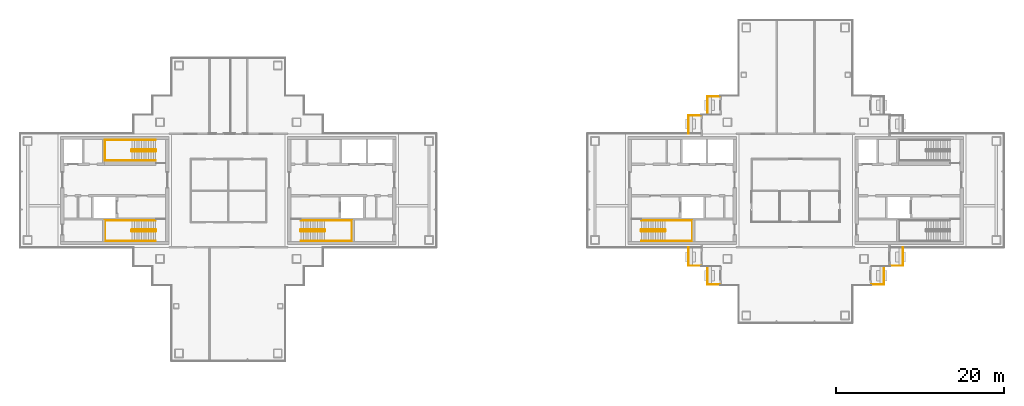
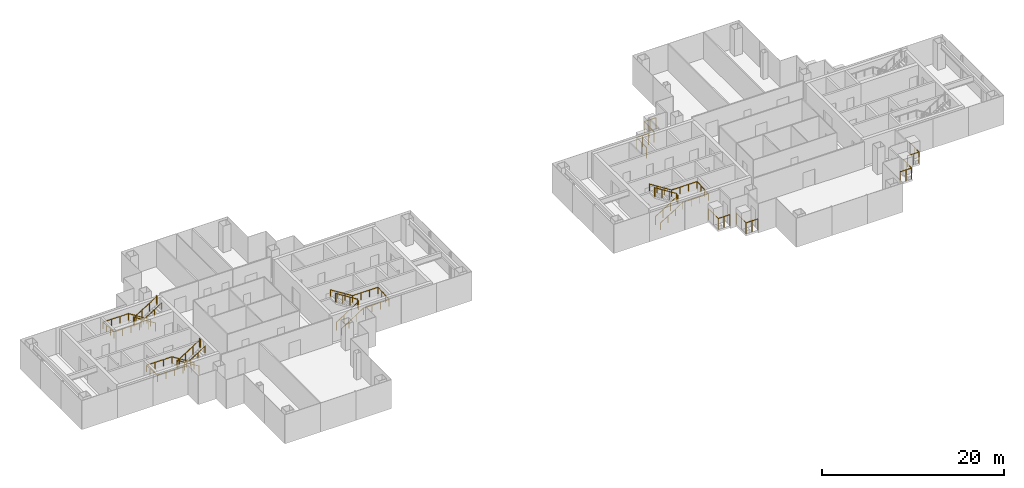
# One storey, part 14 of 16: 14 railings.
"""IFC4 building model written with IfcOpenShell, lengths in metres."""

from ifc_helpers import new_model, si_unit, direction, frame, origin, origin_2d, place, context, subcontext, project, spatial, circle, extrude, material, type_object, element, save


model = new_model("IFC4")

# Units and contexts
model_context = context("Model", 3, precision=1e-05, world=origin(), true_north=direction((0.0, 1.0)))
body_context = subcontext(model_context, "Body", "Model", "MODEL_VIEW")
ifc_project = project(units=[si_unit("LENGTHUNIT", "METRE"), si_unit("AREAUNIT", "SQUARE_METRE"), si_unit("VOLUMEUNIT", "CUBIC_METRE"), si_unit("PLANEANGLEUNIT", "RADIAN"), si_unit("MASSUNIT", "GRAM", prefix="KILO")], contexts=[model_context])

# Site, building, storey
site_placement = place(None, origin())
site = spatial("IfcSite", under=ifc_project, at=site_placement, CompositionType="ELEMENT")
building_placement = place(site_placement, origin())
building = spatial("IfcBuilding", under=site, at=building_placement, Name="Shamsa Quay Exchange Towers", CompositionType="ELEMENT")
storey_placement = place(building_placement, frame((0.0, 0.0, 190.5)))
storey = spatial("IfcBuildingStorey", under=building, at=storey_placement, Name="L45", CompositionType="ELEMENT", Elevation=190.5)

# Railings
ifc_material_1 = material(Name="Steel S355, black powder-coated", Category="steel")
railing_type_1 = type_object("IfcRailingType", Name="BALCONY GUARD 1500", PredefinedType="GUARDRAIL", material=ifc_material_1)
for number, where, name in (
    (1, (24.72900390625, 11.199951171875, 0.0), "Balcony guard T2-PKEN L45"),
    (2, (22.47900390625, 8.949951171875, 0.0), "Balcony guard T2-PKEN L45"),
):
    element("IfcRailing", number, at=place(storey_placement, frame(where)), inside=storey, type_object=railing_type_1, Name=name, PredefinedType="GUARDRAIL", context=body_context, shape_type="SweptSolid", body=[
        extrude(circle(Radius=0.02392578125, at=origin_2d()), frame((0.0, 0.0, 1.47607421875), z_axis=(-1.0, 0.0, 0.0), x_axis=(0.0, -1.0, 0.0)), (0.0, 0.0, 1.0), 1.47900390625),
        extrude(circle(Radius=0.02392578125, at=origin_2d()), frame((-1.47900390625, 0.0, 1.47607421875), z_axis=(0.0, -1.0, 0.0), x_axis=(1.0, 0.0, 0.0)), (0.0, 0.0, 1.0), 2.161865234375),
        extrude(circle(Radius=0.02099609375, at=origin_2d()), origin(), (0.0, 0.0, 1.0), 1.451904296875),
        extrude(circle(Radius=0.02099609375, at=origin_2d()), frame((-0.739501953125, 0.0, 0.0)), (0.0, 0.0, 1.0), 1.451904296875),
        extrude(circle(Radius=0.02099609375, at=origin_2d()), frame((-1.47900390625, 0.0, 0.0)), (0.0, 0.0, 1.0), 1.451904296875),
        extrude(circle(Radius=0.02099609375, at=origin_2d()), frame((-1.47900390625, -1.0810546875, 0.0)), (0.0, 0.0, 1.0), 1.451904296875),
        extrude(circle(Radius=0.02099609375, at=origin_2d()), frame((-1.47900390625, -2.161865234375, 0.0)), (0.0, 0.0, 1.0), 1.451904296875),
    ])
for number, where, name in (
    (3, (21.0, -6.7880859375, 0.0), "Balcony guard T2-PKWN L45"),
    (4, (23.25, -9.0380859375, 0.0), "Balcony guard T2-PKWN L45"),
):
    element("IfcRailing", number, at=place(storey_placement, frame(where)), inside=storey, type_object=railing_type_1, Name=name, PredefinedType="GUARDRAIL", context=body_context, shape_type="SweptSolid", body=[
        extrude(circle(Radius=0.02392578125, at=origin_2d()), frame((0.0, 0.0, 1.47607421875), z_axis=(0.0, -1.0, 0.0), x_axis=(1.0, 0.0, 0.0)), (0.0, 0.0, 1.0), 2.161865234375),
        extrude(circle(Radius=0.02392578125, at=origin_2d()), frame((0.0, -2.161865234375, 1.47607421875), z_axis=(1.0, 0.0, 0.0), x_axis=(0.0, 1.0, 0.0)), (0.0, 0.0, 1.0), 1.47900390625),
        extrude(circle(Radius=0.02099609375, at=origin_2d()), origin(), (0.0, 0.0, 1.0), 1.451904296875),
        extrude(circle(Radius=0.02099609375, at=origin_2d()), frame((0.0, -1.0810546875, 0.0)), (0.0, 0.0, 1.0), 1.451904296875),
        extrude(circle(Radius=0.02099609375, at=origin_2d()), frame((0.0, -2.161865234375, 0.0)), (0.0, 0.0, 1.0), 1.451904296875),
        extrude(circle(Radius=0.02099609375, at=origin_2d()), frame((0.739501953125, -2.161865234375, 0.0)), (0.0, 0.0, 1.0), 1.451904296875),
        extrude(circle(Radius=0.02099609375, at=origin_2d()), frame((1.47900390625, -2.161865234375, 0.0)), (0.0, 0.0, 1.0), 1.451904296875),
    ])
for number, where, name in (
    (5, (42.77099609375, -11.199951171875, 0.0), "Balcony guard T2-PKWS L45"),
    (6, (45.02099609375, -8.949951171875, 0.0), "Balcony guard T2-PKWS L45"),
):
    element("IfcRailing", number, at=place(storey_placement, frame(where)), inside=storey, type_object=railing_type_1, Name=name, PredefinedType="GUARDRAIL", context=body_context, shape_type="SweptSolid", body=[
        extrude(circle(Radius=0.02392578125, at=origin_2d()), frame((0.0, 0.0, 1.47607421875), z_axis=(1.0, 0.0, 0.0), x_axis=(0.0, 1.0, 0.0)), (0.0, 0.0, 1.0), 1.47900390625),
        extrude(circle(Radius=0.02392578125, at=origin_2d()), frame((1.47900390625, 0.0, 1.47607421875), z_axis=(0.0, 1.0, 0.0), x_axis=(-1.0, 0.0, 0.0)), (0.0, 0.0, 1.0), 2.161865234375),
        extrude(circle(Radius=0.02099609375, at=origin_2d()), origin(), (0.0, 0.0, 1.0), 1.451904296875),
        extrude(circle(Radius=0.02099609375, at=origin_2d()), frame((0.739501953125, 0.0, 0.0)), (0.0, 0.0, 1.0), 1.451904296875),
        extrude(circle(Radius=0.02099609375, at=origin_2d()), frame((1.47900390625, 0.0, 0.0)), (0.0, 0.0, 1.0), 1.451904296875),
        extrude(circle(Radius=0.02099609375, at=origin_2d()), frame((1.47900390625, 1.0810546875, 0.0)), (0.0, 0.0, 1.0), 1.451904296875),
        extrude(circle(Radius=0.02099609375, at=origin_2d()), frame((1.47900390625, 2.161865234375, 0.0)), (0.0, 0.0, 1.0), 1.451904296875),
    ])
ifc_material_2 = material(Name="Stainless steel", Category="steel")
railing_type_2 = type_object("IfcRailingType", Name="STAIR GUARD 1100", PredefinedType="GUARDRAIL", material=ifc_material_2)
railing_1_placement = place(storey_placement, frame((-25.10009765625, -4.89990234375, 0.17724609375)))
element("IfcRailing", 7, at=railing_1_placement, inside=storey, type_object=railing_type_2, Name="L45 ST1 stair guard 1", PredefinedType="GUARDRAIL", context=body_context, shape_type="SweptSolid", body=[
    extrude(circle(Radius=0.02392578125, at=origin_2d()), frame((0.0, 0.0, 1.076171875), z_axis=(0.844908973607, 0.0, 0.534910110503), x_axis=(0.0, 1.0, 0.0)), (0.0, 0.0, 1.0), 3.31396484375),
    extrude(circle(Radius=0.02392578125, at=origin_2d()), frame((2.800048828125, 0.0, 2.8486328125), z_axis=(0.708833529934, 0.705375805398, 0.0), x_axis=(-0.705375805398, 0.708833529934, 0.0)), (0.0, 0.0, 1.0), 0.070556640625),
    extrude(circle(Radius=0.02392578125, at=origin_2d()), frame((2.85009765625, 0.0498046875, 2.8486328125), z_axis=(0.0, 1.0, 0.0), x_axis=(-1.0, 0.0, 0.0)), (0.0, 0.0, 1.0), 0.150146484375),
    extrude(circle(Radius=0.02392578125, at=origin_2d()), frame((2.85009765625, 0.199951171875, 2.8486328125), z_axis=(-0.262233686654, 0.262233686654, 0.928691007369), x_axis=(-0.707106781187, -0.707106781187, 0.0)), (0.0, 0.0, 1.0), 0.19091796875),
    extrude(circle(Radius=0.02392578125, at=origin_2d()), frame((2.800048828125, 0.25, 3.02587890625), z_axis=(-0.844908973607, 0.0, 0.534910110503), x_axis=(0.0, -1.0, 0.0)), (0.0, 0.0, 1.0), 3.31396484375),
    extrude(circle(Radius=0.02392578125, at=origin_2d()), frame((0.0, 0.25, 4.798828125), z_axis=(-0.24142163986, -0.970420317083, 0.0), x_axis=(0.970420317083, -0.24142163986, 0.0)), (0.0, 0.0, 1.0), 0.206298828125),
    extrude(circle(Radius=0.02392578125, at=origin_2d()), frame((-0.0498046875, 0.0498046875, 4.798828125), z_axis=(0.0, 1.0, 0.0), x_axis=(-1.0, 0.0, 0.0)), (0.0, 0.0, 1.0), 0.150146484375),
    extrude(circle(Radius=0.02099609375, at=origin_2d()), origin(), (0.0, 0.0, 1.0), 1.052001953125),
    extrude(circle(Radius=0.02099609375, at=origin_2d()), frame((0.933349609375, 0.0, 0.5908203125)), (0.0, 0.0, 1.0), 1.052001953125),
    extrude(circle(Radius=0.02099609375, at=origin_2d()), frame((1.86669921875, 0.0, 1.181884765625)), (0.0, 0.0, 1.0), 1.052001953125),
    extrude(circle(Radius=0.02099609375, at=origin_2d()), frame((2.800048828125, 0.0, 1.772705078125)), (0.0, 0.0, 1.0), 1.052001953125),
    extrude(circle(Radius=0.02099609375, at=origin_2d()), frame((2.85009765625, 0.0498046875, 1.772705078125)), (0.0, 0.0, 1.0), 1.052001953125),
    extrude(circle(Radius=0.02099609375, at=origin_2d()), frame((2.85009765625, 0.199951171875, 1.772705078125)), (0.0, 0.0, 1.0), 1.052001953125),
    extrude(circle(Radius=0.02099609375, at=origin_2d()), frame((2.800048828125, 0.25, 1.949951171875)), (0.0, 0.0, 1.0), 1.052001953125),
    extrude(circle(Radius=0.02099609375, at=origin_2d()), frame((1.86669921875, 0.25, 2.540771484375)), (0.0, 0.0, 1.0), 1.052001953125),
    extrude(circle(Radius=0.02099609375, at=origin_2d()), frame((0.933349609375, 0.25, 3.1318359375)), (0.0, 0.0, 1.0), 1.052001953125),
    extrude(circle(Radius=0.02099609375, at=origin_2d()), frame((0.0, 0.25, 3.72265625)), (0.0, 0.0, 1.0), 1.052001953125),
    extrude(circle(Radius=0.02099609375, at=origin_2d()), frame((-0.0498046875, 0.0498046875, 3.72265625)), (0.0, 0.0, 1.0), 1.052001953125),
    extrude(circle(Radius=0.02099609375, at=origin_2d()), frame((-0.0498046875, 0.199951171875, 3.72265625)), (0.0, 0.0, 1.0), 1.052001953125),
])
railing_2_placement = place(storey_placement, frame((-42.39990234375, -4.64990234375, 0.17724609375)))
element("IfcRailing", 8, at=railing_2_placement, inside=storey, type_object=railing_type_2, Name="L45 ST2 stair guard 1", PredefinedType="GUARDRAIL", context=body_context, shape_type="SweptSolid", body=[
    extrude(circle(Radius=0.02392578125, at=origin_2d()), frame((0.0, 0.0, 1.076171875), z_axis=(-0.844908973607, 0.0, 0.534910110503), x_axis=(0.0, -1.0, 0.0)), (0.0, 0.0, 1.0), 3.31396484375),
    extrude(circle(Radius=0.02392578125, at=origin_2d()), frame((-2.800048828125, 0.0, 2.8486328125), z_axis=(-0.707106781187, -0.707106781187, 0.0), x_axis=(0.707106781187, -0.707106781187, 0.0)), (0.0, 0.0, 1.0), 0.07080078125),
    extrude(circle(Radius=0.02392578125, at=origin_2d()), frame((-2.85009765625, -0.050048828125, 2.8486328125), z_axis=(0.0, -1.0, 0.0), x_axis=(1.0, 0.0, 0.0)), (0.0, 0.0, 1.0), 0.150146484375),
    extrude(circle(Radius=0.02392578125, at=origin_2d()), frame((-2.85009765625, -0.2001953125, 2.8486328125), z_axis=(0.262321481514, -0.261041864531, 0.929001929653), x_axis=(0.705375805398, 0.708833529934, 0.0)), (0.0, 0.0, 1.0), 0.190673828125),
    extrude(circle(Radius=0.02392578125, at=origin_2d()), frame((-2.800048828125, -0.25, 3.02587890625), z_axis=(0.844908973607, 0.0, 0.534910110503), x_axis=(0.0, 1.0, 0.0)), (0.0, 0.0, 1.0), 3.31396484375),
    extrude(circle(Radius=0.02392578125, at=origin_2d()), frame((0.0, -0.25, 4.798828125), z_axis=(0.241699205484, 0.970351222016, 0.0), x_axis=(-0.970351222016, 0.241699205484, 0.0)), (0.0, 0.0, 1.0), 0.2060546875),
    extrude(circle(Radius=0.02392578125, at=origin_2d()), frame((0.0498046875, -0.050048828125, 4.798828125), z_axis=(0.0, -1.0, 0.0), x_axis=(1.0, 0.0, 0.0)), (0.0, 0.0, 1.0), 0.150146484375),
    extrude(circle(Radius=0.02099609375, at=origin_2d()), origin(), (0.0, 0.0, 1.0), 1.052001953125),
    extrude(circle(Radius=0.02099609375, at=origin_2d()), frame((-0.933349609375, 0.0, 0.5908203125)), (0.0, 0.0, 1.0), 1.052001953125),
    extrude(circle(Radius=0.02099609375, at=origin_2d()), frame((-1.86669921875, 0.0, 1.181884765625)), (0.0, 0.0, 1.0), 1.052001953125),
    extrude(circle(Radius=0.02099609375, at=origin_2d()), frame((-2.800048828125, 0.0, 1.772705078125)), (0.0, 0.0, 1.0), 1.052001953125),
    extrude(circle(Radius=0.02099609375, at=origin_2d()), frame((-2.85009765625, -0.050048828125, 1.772705078125)), (0.0, 0.0, 1.0), 1.052001953125),
    extrude(circle(Radius=0.02099609375, at=origin_2d()), frame((-2.85009765625, -0.2001953125, 1.772705078125)), (0.0, 0.0, 1.0), 1.052001953125),
    extrude(circle(Radius=0.02099609375, at=origin_2d()), frame((-2.800048828125, -0.25, 1.949951171875)), (0.0, 0.0, 1.0), 1.052001953125),
    extrude(circle(Radius=0.02099609375, at=origin_2d()), frame((-1.86669921875, -0.25, 2.540771484375)), (0.0, 0.0, 1.0), 1.052001953125),
    extrude(circle(Radius=0.02099609375, at=origin_2d()), frame((-0.933349609375, -0.25, 3.1318359375)), (0.0, 0.0, 1.0), 1.052001953125),
    extrude(circle(Radius=0.02099609375, at=origin_2d()), frame((0.0, -0.25, 3.72265625)), (0.0, 0.0, 1.0), 1.052001953125),
    extrude(circle(Radius=0.02099609375, at=origin_2d()), frame((0.0498046875, -0.050048828125, 3.72265625)), (0.0, 0.0, 1.0), 1.052001953125),
    extrude(circle(Radius=0.02099609375, at=origin_2d()), frame((0.0498046875, -0.2001953125, 3.72265625)), (0.0, 0.0, 1.0), 1.052001953125),
])
railing_3_placement = place(storey_placement, frame((-42.39990234375, 4.89990234375, 0.17724609375)))
element("IfcRailing", 9, at=railing_3_placement, inside=storey, type_object=railing_type_2, Name="L45 ST3 stair guard 1", PredefinedType="GUARDRAIL", context=body_context, shape_type="SweptSolid", body=[
    extrude(circle(Radius=0.02392578125, at=origin_2d()), frame((0.0, 0.0, 1.076171875), z_axis=(-0.844908973607, 0.0, 0.534910110503), x_axis=(0.0, -1.0, 0.0)), (0.0, 0.0, 1.0), 3.31396484375),
    extrude(circle(Radius=0.02392578125, at=origin_2d()), frame((-2.800048828125, 0.0, 2.8486328125), z_axis=(-0.708833529934, -0.705375805398, 0.0), x_axis=(0.705375805398, -0.708833529934, 0.0)), (0.0, 0.0, 1.0), 0.070556640625),
    extrude(circle(Radius=0.02392578125, at=origin_2d()), frame((-2.85009765625, -0.0498046875, 2.8486328125), z_axis=(0.0, -1.0, 0.0), x_axis=(1.0, 0.0, 0.0)), (0.0, 0.0, 1.0), 0.150146484375),
    extrude(circle(Radius=0.02392578125, at=origin_2d()), frame((-2.85009765625, -0.199951171875, 2.8486328125), z_axis=(0.262233686654, -0.262233686654, 0.928691007369), x_axis=(0.707106781187, 0.707106781187, 0.0)), (0.0, 0.0, 1.0), 0.19091796875),
    extrude(circle(Radius=0.02392578125, at=origin_2d()), frame((-2.800048828125, -0.25, 3.02587890625), z_axis=(0.844908973607, 0.0, 0.534910110503), x_axis=(0.0, 1.0, 0.0)), (0.0, 0.0, 1.0), 3.31396484375),
    extrude(circle(Radius=0.02392578125, at=origin_2d()), frame((0.0, -0.25, 4.798828125), z_axis=(0.24142163986, 0.970420317083, 0.0), x_axis=(-0.970420317083, 0.24142163986, 0.0)), (0.0, 0.0, 1.0), 0.206298828125),
    extrude(circle(Radius=0.02392578125, at=origin_2d()), frame((0.0498046875, -0.0498046875, 4.798828125), z_axis=(0.0, -1.0, 0.0), x_axis=(1.0, 0.0, 0.0)), (0.0, 0.0, 1.0), 0.150146484375),
    extrude(circle(Radius=0.02099609375, at=origin_2d()), origin(), (0.0, 0.0, 1.0), 1.052001953125),
    extrude(circle(Radius=0.02099609375, at=origin_2d()), frame((-0.933349609375, 0.0, 0.5908203125)), (0.0, 0.0, 1.0), 1.052001953125),
    extrude(circle(Radius=0.02099609375, at=origin_2d()), frame((-1.86669921875, 0.0, 1.181884765625)), (0.0, 0.0, 1.0), 1.052001953125),
    extrude(circle(Radius=0.02099609375, at=origin_2d()), frame((-2.800048828125, 0.0, 1.772705078125)), (0.0, 0.0, 1.0), 1.052001953125),
    extrude(circle(Radius=0.02099609375, at=origin_2d()), frame((-2.85009765625, -0.0498046875, 1.772705078125)), (0.0, 0.0, 1.0), 1.052001953125),
    extrude(circle(Radius=0.02099609375, at=origin_2d()), frame((-2.85009765625, -0.199951171875, 1.772705078125)), (0.0, 0.0, 1.0), 1.052001953125),
    extrude(circle(Radius=0.02099609375, at=origin_2d()), frame((-2.800048828125, -0.25, 1.949951171875)), (0.0, 0.0, 1.0), 1.052001953125),
    extrude(circle(Radius=0.02099609375, at=origin_2d()), frame((-1.86669921875, -0.25, 2.540771484375)), (0.0, 0.0, 1.0), 1.052001953125),
    extrude(circle(Radius=0.02099609375, at=origin_2d()), frame((-0.933349609375, -0.25, 3.1318359375)), (0.0, 0.0, 1.0), 1.052001953125),
    extrude(circle(Radius=0.02099609375, at=origin_2d()), frame((0.0, -0.25, 3.72265625)), (0.0, 0.0, 1.0), 1.052001953125),
    extrude(circle(Radius=0.02099609375, at=origin_2d()), frame((0.0498046875, -0.0498046875, 3.72265625)), (0.0, 0.0, 1.0), 1.052001953125),
    extrude(circle(Radius=0.02099609375, at=origin_2d()), frame((0.0498046875, -0.199951171875, 3.72265625)), (0.0, 0.0, 1.0), 1.052001953125),
])
railing_4_placement = place(storey_placement, frame((15.39990234375, -4.89990234375, 0.17724609375)))
element("IfcRailing", 10, at=railing_4_placement, inside=storey, type_object=railing_type_2, Name="L45 ST4 stair guard 1", PredefinedType="GUARDRAIL", context=body_context, shape_type="SweptSolid", body=[
    extrude(circle(Radius=0.02392578125, at=origin_2d()), frame((0.0, 0.0, 1.076171875), z_axis=(0.844908973607, 0.0, 0.534910110503), x_axis=(0.0, 1.0, 0.0)), (0.0, 0.0, 1.0), 3.31396484375),
    extrude(circle(Radius=0.02392578125, at=origin_2d()), frame((2.800048828125, 0.0, 2.8486328125), z_axis=(0.708833529934, 0.705375805398, 0.0), x_axis=(-0.705375805398, 0.708833529934, 0.0)), (0.0, 0.0, 1.0), 0.070556640625),
    extrude(circle(Radius=0.02392578125, at=origin_2d()), frame((2.85009765625, 0.0498046875, 2.8486328125), z_axis=(0.0, 1.0, 0.0), x_axis=(-1.0, 0.0, 0.0)), (0.0, 0.0, 1.0), 0.150146484375),
    extrude(circle(Radius=0.02392578125, at=origin_2d()), frame((2.85009765625, 0.199951171875, 2.8486328125), z_axis=(-0.262233686654, 0.262233686654, 0.928691007369), x_axis=(-0.707106781187, -0.707106781187, 0.0)), (0.0, 0.0, 1.0), 0.19091796875),
    extrude(circle(Radius=0.02392578125, at=origin_2d()), frame((2.800048828125, 0.25, 3.02587890625), z_axis=(-0.844908973607, 0.0, 0.534910110503), x_axis=(0.0, -1.0, 0.0)), (0.0, 0.0, 1.0), 3.31396484375),
    extrude(circle(Radius=0.02392578125, at=origin_2d()), frame((0.0, 0.25, 4.798828125), z_axis=(-0.24142163986, -0.970420317083, 0.0), x_axis=(0.970420317083, -0.24142163986, 0.0)), (0.0, 0.0, 1.0), 0.206298828125),
    extrude(circle(Radius=0.02392578125, at=origin_2d()), frame((-0.0498046875, 0.0498046875, 4.798828125), z_axis=(0.0, 1.0, 0.0), x_axis=(-1.0, 0.0, 0.0)), (0.0, 0.0, 1.0), 0.150146484375),
    extrude(circle(Radius=0.02099609375, at=origin_2d()), origin(), (0.0, 0.0, 1.0), 1.052001953125),
    extrude(circle(Radius=0.02099609375, at=origin_2d()), frame((0.933349609375, 0.0, 0.5908203125)), (0.0, 0.0, 1.0), 1.052001953125),
    extrude(circle(Radius=0.02099609375, at=origin_2d()), frame((1.86669921875, 0.0, 1.181884765625)), (0.0, 0.0, 1.0), 1.052001953125),
    extrude(circle(Radius=0.02099609375, at=origin_2d()), frame((2.800048828125, 0.0, 1.772705078125)), (0.0, 0.0, 1.0), 1.052001953125),
    extrude(circle(Radius=0.02099609375, at=origin_2d()), frame((2.85009765625, 0.0498046875, 1.772705078125)), (0.0, 0.0, 1.0), 1.052001953125),
    extrude(circle(Radius=0.02099609375, at=origin_2d()), frame((2.85009765625, 0.199951171875, 1.772705078125)), (0.0, 0.0, 1.0), 1.052001953125),
    extrude(circle(Radius=0.02099609375, at=origin_2d()), frame((2.800048828125, 0.25, 1.949951171875)), (0.0, 0.0, 1.0), 1.052001953125),
    extrude(circle(Radius=0.02099609375, at=origin_2d()), frame((1.86669921875, 0.25, 2.540771484375)), (0.0, 0.0, 1.0), 1.052001953125),
    extrude(circle(Radius=0.02099609375, at=origin_2d()), frame((0.933349609375, 0.25, 3.1318359375)), (0.0, 0.0, 1.0), 1.052001953125),
    extrude(circle(Radius=0.02099609375, at=origin_2d()), frame((0.0, 0.25, 3.72265625)), (0.0, 0.0, 1.0), 1.052001953125),
    extrude(circle(Radius=0.02099609375, at=origin_2d()), frame((-0.0498046875, 0.0498046875, 3.72265625)), (0.0, 0.0, 1.0), 1.052001953125),
    extrude(circle(Radius=0.02099609375, at=origin_2d()), frame((-0.0498046875, 0.199951171875, 3.72265625)), (0.0, 0.0, 1.0), 1.052001953125),
])
railing_type_3 = type_object("IfcRailingType", Name="STAIR HANDRAIL 900", PredefinedType="HANDRAIL", material=ifc_material_2)
railing_5_placement = place(storey_placement, frame((-25.10009765625, -6.0, 0.17724609375)))
element("IfcRailing", 11, at=railing_5_placement, inside=storey, type_object=railing_type_3, Name="L45 ST1 stair handrail 1", PredefinedType="HANDRAIL", context=body_context, shape_type="SweptSolid", body=[
    extrude(circle(Radius=0.02392578125, at=origin_2d()), frame((0.0, 0.0, 0.8759765625), z_axis=(0.844908973607, 0.0, 0.534910110503), x_axis=(0.0, 1.0, 0.0)), (0.0, 0.0, 1.0), 3.31396484375),
    extrude(circle(Radius=0.02392578125, at=origin_2d()), frame((2.800048828125, 0.0, 2.6484375), z_axis=(1.0, 0.0, 0.0), x_axis=(0.0, 1.0, 0.0)), (0.0, 0.0, 1.0), 3.25),
    extrude(circle(Radius=0.02392578125, at=origin_2d()), frame((6.050048828125, 0.0, 2.6484375), z_axis=(0.0, 0.997393199914, 0.07215819264), x_axis=(-1.0, 0.0, 0.0)), (0.0, 0.0, 1.0), 2.456298828125),
    extrude(circle(Radius=0.02392578125, at=origin_2d()), frame((6.050048828125, 2.449951171875, 2.82568359375), z_axis=(-1.0, 0.0, 0.0), x_axis=(0.0, -1.0, 0.0)), (0.0, 0.0, 1.0), 3.25),
    extrude(circle(Radius=0.02392578125, at=origin_2d()), frame((2.800048828125, 2.449951171875, 2.82568359375), z_axis=(-0.844908973607, 0.0, 0.534910110503), x_axis=(0.0, -1.0, 0.0)), (0.0, 0.0, 1.0), 3.31396484375),
    extrude(circle(Radius=0.02099609375, at=origin_2d()), origin(), (0.0, 0.0, 1.0), 0.851806640625),
    extrude(circle(Radius=0.02099609375, at=origin_2d()), frame((0.933349609375, 0.0, 0.5908203125)), (0.0, 0.0, 1.0), 0.851806640625),
    extrude(circle(Radius=0.02099609375, at=origin_2d()), frame((1.86669921875, 0.0, 1.181884765625)), (0.0, 0.0, 1.0), 0.851806640625),
    extrude(circle(Radius=0.02099609375, at=origin_2d()), frame((2.800048828125, 0.0, 1.772705078125)), (0.0, 0.0, 1.0), 0.851806640625),
    extrude(circle(Radius=0.02099609375, at=origin_2d()), frame((3.88330078125, 0.0, 1.772705078125)), (0.0, 0.0, 1.0), 0.851806640625),
    extrude(circle(Radius=0.02099609375, at=origin_2d()), frame((4.966796875, 0.0, 1.772705078125)), (0.0, 0.0, 1.0), 0.851806640625),
    extrude(circle(Radius=0.02099609375, at=origin_2d()), frame((6.050048828125, 0.0, 1.772705078125)), (0.0, 0.0, 1.0), 0.851806640625),
    extrude(circle(Radius=0.02099609375, at=origin_2d()), frame((6.050048828125, 0.816650390625, 1.831787109375)), (0.0, 0.0, 1.0), 0.851806640625),
    extrude(circle(Radius=0.02099609375, at=origin_2d()), frame((6.050048828125, 1.63330078125, 1.890869140625)), (0.0, 0.0, 1.0), 0.851806640625),
    extrude(circle(Radius=0.02099609375, at=origin_2d()), frame((6.050048828125, 2.449951171875, 1.949951171875)), (0.0, 0.0, 1.0), 0.851806640625),
    extrude(circle(Radius=0.02099609375, at=origin_2d()), frame((4.966796875, 2.449951171875, 1.949951171875)), (0.0, 0.0, 1.0), 0.851806640625),
    extrude(circle(Radius=0.02099609375, at=origin_2d()), frame((3.88330078125, 2.449951171875, 1.949951171875)), (0.0, 0.0, 1.0), 0.851806640625),
    extrude(circle(Radius=0.02099609375, at=origin_2d()), frame((2.800048828125, 2.449951171875, 1.949951171875)), (0.0, 0.0, 1.0), 0.851806640625),
    extrude(circle(Radius=0.02099609375, at=origin_2d()), frame((1.86669921875, 2.449951171875, 2.540771484375)), (0.0, 0.0, 1.0), 0.851806640625),
    extrude(circle(Radius=0.02099609375, at=origin_2d()), frame((0.933349609375, 2.449951171875, 3.1318359375)), (0.0, 0.0, 1.0), 0.851806640625),
    extrude(circle(Radius=0.02099609375, at=origin_2d()), frame((0.0, 2.449951171875, 3.72265625)), (0.0, 0.0, 1.0), 0.851806640625),
])
railing_6_placement = place(storey_placement, frame((-42.39990234375, -3.550048828125, 0.17724609375)))
element("IfcRailing", 12, at=railing_6_placement, inside=storey, type_object=railing_type_3, Name="L45 ST2 stair handrail 1", PredefinedType="HANDRAIL", context=body_context, shape_type="SweptSolid", body=[
    extrude(circle(Radius=0.02392578125, at=origin_2d()), frame((0.0, 0.0, 0.8759765625), z_axis=(-0.844908973607, 0.0, 0.534910110503), x_axis=(0.0, -1.0, 0.0)), (0.0, 0.0, 1.0), 3.31396484375),
    extrude(circle(Radius=0.02392578125, at=origin_2d()), frame((-2.800048828125, 0.0, 2.6484375), z_axis=(-1.0, 0.0, 0.0), x_axis=(0.0, -1.0, 0.0)), (0.0, 0.0, 1.0), 3.25),
    extrude(circle(Radius=0.02392578125, at=origin_2d()), frame((-6.050048828125, 0.0, 2.6484375), z_axis=(0.0, -0.997393199914, 0.07215819264), x_axis=(1.0, 0.0, 0.0)), (0.0, 0.0, 1.0), 2.456298828125),
    extrude(circle(Radius=0.02392578125, at=origin_2d()), frame((-6.050048828125, -2.449951171875, 2.82568359375), z_axis=(1.0, 0.0, 0.0), x_axis=(0.0, 1.0, 0.0)), (0.0, 0.0, 1.0), 3.25),
    extrude(circle(Radius=0.02392578125, at=origin_2d()), frame((-2.800048828125, -2.449951171875, 2.82568359375), z_axis=(0.844908973607, 0.0, 0.534910110503), x_axis=(0.0, 1.0, 0.0)), (0.0, 0.0, 1.0), 3.31396484375),
    extrude(circle(Radius=0.02099609375, at=origin_2d()), origin(), (0.0, 0.0, 1.0), 0.851806640625),
    extrude(circle(Radius=0.02099609375, at=origin_2d()), frame((-0.933349609375, 0.0, 0.5908203125)), (0.0, 0.0, 1.0), 0.851806640625),
    extrude(circle(Radius=0.02099609375, at=origin_2d()), frame((-1.86669921875, 0.0, 1.181884765625)), (0.0, 0.0, 1.0), 0.851806640625),
    extrude(circle(Radius=0.02099609375, at=origin_2d()), frame((-2.800048828125, 0.0, 1.772705078125)), (0.0, 0.0, 1.0), 0.851806640625),
    extrude(circle(Radius=0.02099609375, at=origin_2d()), frame((-3.88330078125, 0.0, 1.772705078125)), (0.0, 0.0, 1.0), 0.851806640625),
    extrude(circle(Radius=0.02099609375, at=origin_2d()), frame((-4.966796875, 0.0, 1.772705078125)), (0.0, 0.0, 1.0), 0.851806640625),
    extrude(circle(Radius=0.02099609375, at=origin_2d()), frame((-6.050048828125, 0.0, 1.772705078125)), (0.0, 0.0, 1.0), 0.851806640625),
    extrude(circle(Radius=0.02099609375, at=origin_2d()), frame((-6.050048828125, -0.816650390625, 1.831787109375)), (0.0, 0.0, 1.0), 0.851806640625),
    extrude(circle(Radius=0.02099609375, at=origin_2d()), frame((-6.050048828125, -1.63330078125, 1.890869140625)), (0.0, 0.0, 1.0), 0.851806640625),
    extrude(circle(Radius=0.02099609375, at=origin_2d()), frame((-6.050048828125, -2.449951171875, 1.949951171875)), (0.0, 0.0, 1.0), 0.851806640625),
    extrude(circle(Radius=0.02099609375, at=origin_2d()), frame((-4.966796875, -2.449951171875, 1.949951171875)), (0.0, 0.0, 1.0), 0.851806640625),
    extrude(circle(Radius=0.02099609375, at=origin_2d()), frame((-3.88330078125, -2.449951171875, 1.949951171875)), (0.0, 0.0, 1.0), 0.851806640625),
    extrude(circle(Radius=0.02099609375, at=origin_2d()), frame((-2.800048828125, -2.449951171875, 1.949951171875)), (0.0, 0.0, 1.0), 0.851806640625),
    extrude(circle(Radius=0.02099609375, at=origin_2d()), frame((-1.86669921875, -2.449951171875, 2.540771484375)), (0.0, 0.0, 1.0), 0.851806640625),
    extrude(circle(Radius=0.02099609375, at=origin_2d()), frame((-0.933349609375, -2.449951171875, 3.1318359375)), (0.0, 0.0, 1.0), 0.851806640625),
    extrude(circle(Radius=0.02099609375, at=origin_2d()), frame((0.0, -2.449951171875, 3.72265625)), (0.0, 0.0, 1.0), 0.851806640625),
])
railing_7_placement = place(storey_placement, frame((-42.39990234375, 6.0, 0.17724609375)))
element("IfcRailing", 13, at=railing_7_placement, inside=storey, type_object=railing_type_3, Name="L45 ST3 stair handrail 1", PredefinedType="HANDRAIL", context=body_context, shape_type="SweptSolid", body=[
    extrude(circle(Radius=0.02392578125, at=origin_2d()), frame((0.0, 0.0, 0.8759765625), z_axis=(-0.844908973607, 0.0, 0.534910110503), x_axis=(0.0, -1.0, 0.0)), (0.0, 0.0, 1.0), 3.31396484375),
    extrude(circle(Radius=0.02392578125, at=origin_2d()), frame((-2.800048828125, 0.0, 2.6484375), z_axis=(-1.0, 0.0, 0.0), x_axis=(0.0, -1.0, 0.0)), (0.0, 0.0, 1.0), 3.25),
    extrude(circle(Radius=0.02392578125, at=origin_2d()), frame((-6.050048828125, 0.0, 2.6484375), z_axis=(0.0, -0.997393199914, 0.07215819264), x_axis=(1.0, 0.0, 0.0)), (0.0, 0.0, 1.0), 2.456298828125),
    extrude(circle(Radius=0.02392578125, at=origin_2d()), frame((-6.050048828125, -2.449951171875, 2.82568359375), z_axis=(1.0, 0.0, 0.0), x_axis=(0.0, 1.0, 0.0)), (0.0, 0.0, 1.0), 3.25),
    extrude(circle(Radius=0.02392578125, at=origin_2d()), frame((-2.800048828125, -2.449951171875, 2.82568359375), z_axis=(0.844908973607, 0.0, 0.534910110503), x_axis=(0.0, 1.0, 0.0)), (0.0, 0.0, 1.0), 3.31396484375),
    extrude(circle(Radius=0.02099609375, at=origin_2d()), origin(), (0.0, 0.0, 1.0), 0.851806640625),
    extrude(circle(Radius=0.02099609375, at=origin_2d()), frame((-0.933349609375, 0.0, 0.5908203125)), (0.0, 0.0, 1.0), 0.851806640625),
    extrude(circle(Radius=0.02099609375, at=origin_2d()), frame((-1.86669921875, 0.0, 1.181884765625)), (0.0, 0.0, 1.0), 0.851806640625),
    extrude(circle(Radius=0.02099609375, at=origin_2d()), frame((-2.800048828125, 0.0, 1.772705078125)), (0.0, 0.0, 1.0), 0.851806640625),
    extrude(circle(Radius=0.02099609375, at=origin_2d()), frame((-3.88330078125, 0.0, 1.772705078125)), (0.0, 0.0, 1.0), 0.851806640625),
    extrude(circle(Radius=0.02099609375, at=origin_2d()), frame((-4.966796875, 0.0, 1.772705078125)), (0.0, 0.0, 1.0), 0.851806640625),
    extrude(circle(Radius=0.02099609375, at=origin_2d()), frame((-6.050048828125, 0.0, 1.772705078125)), (0.0, 0.0, 1.0), 0.851806640625),
    extrude(circle(Radius=0.02099609375, at=origin_2d()), frame((-6.050048828125, -0.816650390625, 1.831787109375)), (0.0, 0.0, 1.0), 0.851806640625),
    extrude(circle(Radius=0.02099609375, at=origin_2d()), frame((-6.050048828125, -1.63330078125, 1.890869140625)), (0.0, 0.0, 1.0), 0.851806640625),
    extrude(circle(Radius=0.02099609375, at=origin_2d()), frame((-6.050048828125, -2.449951171875, 1.949951171875)), (0.0, 0.0, 1.0), 0.851806640625),
    extrude(circle(Radius=0.02099609375, at=origin_2d()), frame((-4.966796875, -2.449951171875, 1.949951171875)), (0.0, 0.0, 1.0), 0.851806640625),
    extrude(circle(Radius=0.02099609375, at=origin_2d()), frame((-3.88330078125, -2.449951171875, 1.949951171875)), (0.0, 0.0, 1.0), 0.851806640625),
    extrude(circle(Radius=0.02099609375, at=origin_2d()), frame((-2.800048828125, -2.449951171875, 1.949951171875)), (0.0, 0.0, 1.0), 0.851806640625),
    extrude(circle(Radius=0.02099609375, at=origin_2d()), frame((-1.86669921875, -2.449951171875, 2.540771484375)), (0.0, 0.0, 1.0), 0.851806640625),
    extrude(circle(Radius=0.02099609375, at=origin_2d()), frame((-0.933349609375, -2.449951171875, 3.1318359375)), (0.0, 0.0, 1.0), 0.851806640625),
    extrude(circle(Radius=0.02099609375, at=origin_2d()), frame((0.0, -2.449951171875, 3.72265625)), (0.0, 0.0, 1.0), 0.851806640625),
])
railing_8_placement = place(storey_placement, frame((15.39990234375, -6.0, 0.17724609375)))
element("IfcRailing", 14, at=railing_8_placement, inside=storey, type_object=railing_type_3, Name="L45 ST4 stair handrail 1", PredefinedType="HANDRAIL", context=body_context, shape_type="SweptSolid", body=[
    extrude(circle(Radius=0.02392578125, at=origin_2d()), frame((0.0, 0.0, 0.8759765625), z_axis=(0.844908973607, 0.0, 0.534910110503), x_axis=(0.0, 1.0, 0.0)), (0.0, 0.0, 1.0), 3.31396484375),
    extrude(circle(Radius=0.02392578125, at=origin_2d()), frame((2.800048828125, 0.0, 2.6484375), z_axis=(1.0, 0.0, 0.0), x_axis=(0.0, 1.0, 0.0)), (0.0, 0.0, 1.0), 3.25),
    extrude(circle(Radius=0.02392578125, at=origin_2d()), frame((6.050048828125, 0.0, 2.6484375), z_axis=(0.0, 0.997393199914, 0.07215819264), x_axis=(-1.0, 0.0, 0.0)), (0.0, 0.0, 1.0), 2.456298828125),
    extrude(circle(Radius=0.02392578125, at=origin_2d()), frame((6.050048828125, 2.449951171875, 2.82568359375), z_axis=(-1.0, 0.0, 0.0), x_axis=(0.0, -1.0, 0.0)), (0.0, 0.0, 1.0), 3.25),
    extrude(circle(Radius=0.02392578125, at=origin_2d()), frame((2.800048828125, 2.449951171875, 2.82568359375), z_axis=(-0.844908973607, 0.0, 0.534910110503), x_axis=(0.0, -1.0, 0.0)), (0.0, 0.0, 1.0), 3.31396484375),
    extrude(circle(Radius=0.02099609375, at=origin_2d()), origin(), (0.0, 0.0, 1.0), 0.851806640625),
    extrude(circle(Radius=0.02099609375, at=origin_2d()), frame((0.933349609375, 0.0, 0.5908203125)), (0.0, 0.0, 1.0), 0.851806640625),
    extrude(circle(Radius=0.02099609375, at=origin_2d()), frame((1.86669921875, 0.0, 1.181884765625)), (0.0, 0.0, 1.0), 0.851806640625),
    extrude(circle(Radius=0.02099609375, at=origin_2d()), frame((2.800048828125, 0.0, 1.772705078125)), (0.0, 0.0, 1.0), 0.851806640625),
    extrude(circle(Radius=0.02099609375, at=origin_2d()), frame((3.88330078125, 0.0, 1.772705078125)), (0.0, 0.0, 1.0), 0.851806640625),
    extrude(circle(Radius=0.02099609375, at=origin_2d()), frame((4.966796875, 0.0, 1.772705078125)), (0.0, 0.0, 1.0), 0.851806640625),
    extrude(circle(Radius=0.02099609375, at=origin_2d()), frame((6.050048828125, 0.0, 1.772705078125)), (0.0, 0.0, 1.0), 0.851806640625),
    extrude(circle(Radius=0.02099609375, at=origin_2d()), frame((6.050048828125, 0.816650390625, 1.831787109375)), (0.0, 0.0, 1.0), 0.851806640625),
    extrude(circle(Radius=0.02099609375, at=origin_2d()), frame((6.050048828125, 1.63330078125, 1.890869140625)), (0.0, 0.0, 1.0), 0.851806640625),
    extrude(circle(Radius=0.02099609375, at=origin_2d()), frame((6.050048828125, 2.449951171875, 1.949951171875)), (0.0, 0.0, 1.0), 0.851806640625),
    extrude(circle(Radius=0.02099609375, at=origin_2d()), frame((4.966796875, 2.449951171875, 1.949951171875)), (0.0, 0.0, 1.0), 0.851806640625),
    extrude(circle(Radius=0.02099609375, at=origin_2d()), frame((3.88330078125, 2.449951171875, 1.949951171875)), (0.0, 0.0, 1.0), 0.851806640625),
    extrude(circle(Radius=0.02099609375, at=origin_2d()), frame((2.800048828125, 2.449951171875, 1.949951171875)), (0.0, 0.0, 1.0), 0.851806640625),
    extrude(circle(Radius=0.02099609375, at=origin_2d()), frame((1.86669921875, 2.449951171875, 2.540771484375)), (0.0, 0.0, 1.0), 0.851806640625),
    extrude(circle(Radius=0.02099609375, at=origin_2d()), frame((0.933349609375, 2.449951171875, 3.1318359375)), (0.0, 0.0, 1.0), 0.851806640625),
    extrude(circle(Radius=0.02099609375, at=origin_2d()), frame((0.0, 2.449951171875, 3.72265625)), (0.0, 0.0, 1.0), 0.851806640625),
])

save(model, "model.ifc")
